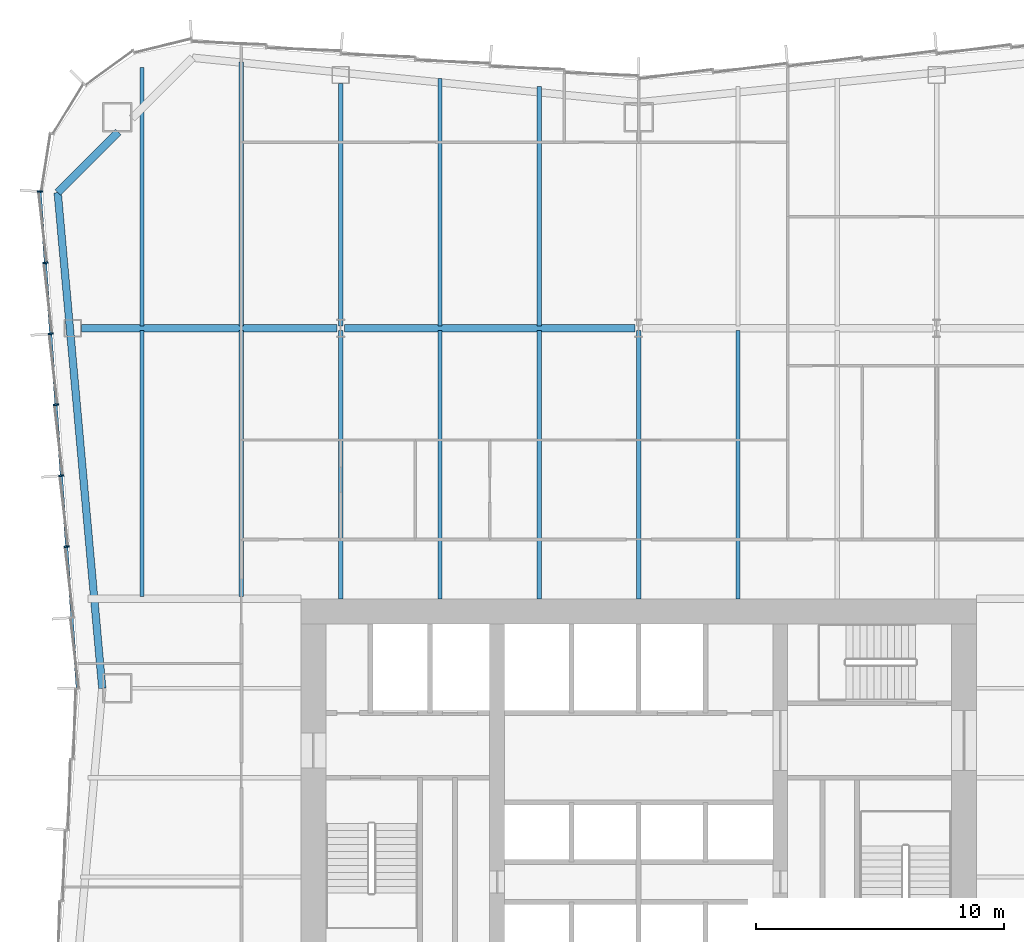
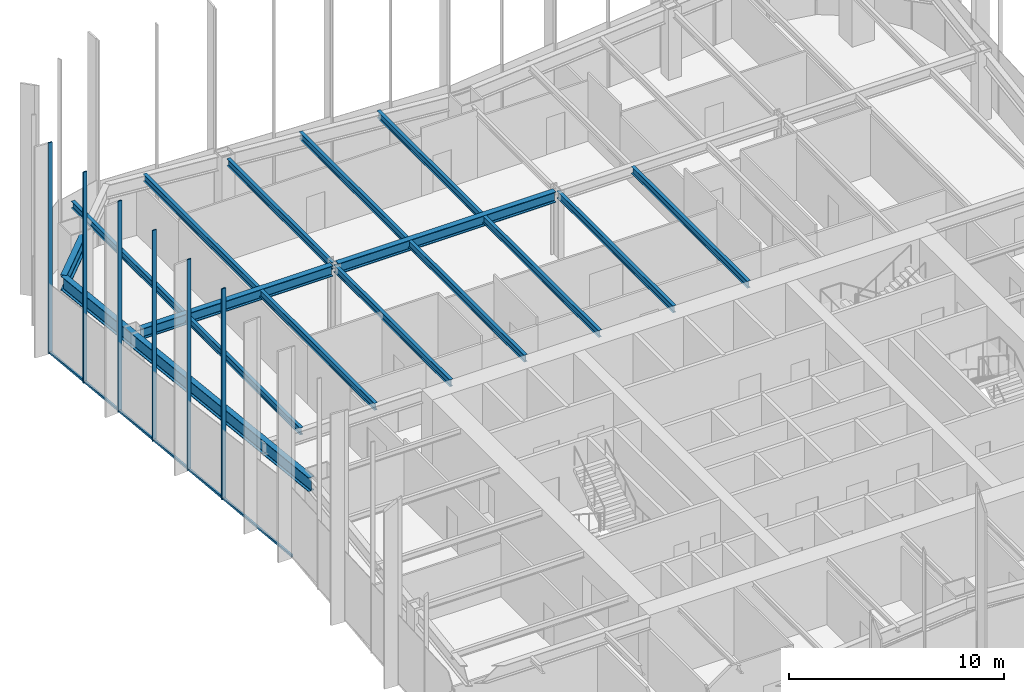
# One storey, part 5 of 14: 16 beams, 7 members, 1 element without a shape of its own.
"""IFC4 building model written with IfcOpenShell, lengths in metres."""

import ifcopenshell
import ifcopenshell.guid

model = None  # the IFC model being written
_history = None  # IfcOwnerHistory: only IFC2X3 demands one
_inside = {}  # id of a spatial element -> (the spatial element, [elements in it])
_under = {}  # id of a project, library or spatial element -> (it, [spatial elements below it])
_declared = {}  # id of a project -> (the project, [libraries it declares])
_typed = {}  # id of a type object -> (the type object, [elements of that type])
_made_of = {}  # id of a material, layer set ... -> (it, [elements and type objects made of it])


def new_model(schema):
    """Start an empty IFC model of exactly this schema.

    Asked for "IFC4X3", IfcOpenShell would pick the latest addendum, in which some entities
    have other attributes; the version numbers below select the first issue.
    IFC2X3 requires an IfcOwnerHistory on every rooted entity: one is made here for all.
    """
    global model, _history
    if schema == "IFC4X3":
        model = ifcopenshell.file(schema_version=(4, 3, 0, 0))
    else:
        model = ifcopenshell.file(schema=schema)
    _inside.clear()
    _under.clear()
    _declared.clear()
    _typed.clear()
    _made_of.clear()
    _history = None
    if model.schema == "IFC2X3":
        org = make("IfcOrganization", Name="unknown")
        user = make(
            "IfcPersonAndOrganization",
            ThePerson=make("IfcPerson", FamilyName="unknown"),
            TheOrganization=org,
        )
        app = make(
            "IfcApplication",
            ApplicationDeveloper=org,
            Version="unknown",
            ApplicationFullName="unknown",
            ApplicationIdentifier="unknown",
        )
        _history = make(
            "IfcOwnerHistory",
            OwningUser=user,
            OwningApplication=app,
            ChangeAction="ADDED",
            CreationDate=0,
        )
    return model


def make(cls, **values):
    """One entity of the class cls with the attributes given. An attribute that is None is left unset."""
    return model.create_entity(
        cls, **{name: value for name, value in values.items() if value is not None}
    )


def rooted(cls, **values):
    """An entity with a GlobalId (a new one), such as an element, a storey or a relation."""
    return make(cls, GlobalId=ifcopenshell.guid.new(), OwnerHistory=_history, **values)


def si_unit(unit_type, name, prefix=None):
    """IfcSIUnit, for example si_unit("LENGTHUNIT", "METRE", prefix="MILLI")."""
    return make("IfcSIUnit", UnitType=unit_type, Prefix=prefix, Name=name)


def assignment(units):
    """IfcUnitAssignment: the units of a project."""
    return None if units is None else make("IfcUnitAssignment", Units=units)


def point(xyz):
    """IfcCartesianPoint."""
    return None if xyz is None else make("IfcCartesianPoint", Coordinates=xyz)


def direction(xyz):
    """IfcDirection."""
    return None if xyz is None else make("IfcDirection", DirectionRatios=xyz)


def frame(location, z_axis=None, x_axis=None):
    """IfcAxis2Placement3D, a coordinate frame: its origin and axes. An axis left out is left unset."""
    return make(
        "IfcAxis2Placement3D",
        Location=point(location),
        Axis=direction(z_axis),
        RefDirection=direction(x_axis),
    )


def frame_2d(location, x_axis=None):
    """IfcAxis2Placement2D, a coordinate frame in the plane: its origin and x axis."""
    return make(
        "IfcAxis2Placement2D", Location=point(location), RefDirection=direction(x_axis)
    )


def origin():
    """The frame at (0, 0, 0) with its axes left unset."""
    return frame((0.0, 0.0, 0.0))


def origin_2d():
    """The frame at (0, 0) in the plane with its x axis left unset."""
    return frame_2d((0.0, 0.0))


def place(relative_to, where):
    """IfcLocalPlacement: puts the frame where relative to a parent placement (None: the world)."""
    return make(
        "IfcLocalPlacement", PlacementRelTo=relative_to, RelativePlacement=where
    )


def context(
    kind, dimensions, precision=None, world=None, true_north=None, identifier=None
):
    """IfcGeometricRepresentationContext, for example the 3D "Model" context."""
    return make(
        "IfcGeometricRepresentationContext",
        ContextIdentifier=identifier,
        ContextType=kind,
        CoordinateSpaceDimension=dimensions,
        Precision=precision,
        WorldCoordinateSystem=world,
        TrueNorth=true_north,
    )


def subcontext(parent, identifier, kind, view, scale=None):
    """IfcGeometricRepresentationSubContext, for example "Body" below "Model"."""
    return make(
        "IfcGeometricRepresentationSubContext",
        ContextIdentifier=identifier,
        ContextType=kind,
        ParentContext=parent,
        TargetScale=scale,
        TargetView=view,
    )


def project(units=None, contexts=None):
    """IfcProject with its units and contexts."""
    return rooted(
        "IfcProject",
        Name="project",
        RepresentationContexts=contexts,
        UnitsInContext=assignment(units),
    )


def spatial(cls, under=None, at=None, **own):
    """A site, building, storey or space (cls), placed at a placement, below another one or the project."""
    s = rooted(cls, ObjectPlacement=at, **own)
    if under is not None:
        _under.setdefault(under.id(), (under, []))[1].append(s)
    return s


def profile(cls, at=None, kind="AREA", **sizes):
    """A parametric profile (cls). Its sizes go by their IFC names, for example OverallWidth=200.0."""
    return make(cls, ProfileType=kind, Position=at, **sizes)


def rectangle(**sizes):
    """IfcRectangleProfileDef."""
    return profile("IfcRectangleProfileDef", **sizes)


def i_section(**sizes):
    """IfcIShapeProfileDef."""
    return profile("IfcIShapeProfileDef", **sizes)


def extrude(swept, where, along, depth):
    """IfcExtrudedAreaSolid: the profile swept, set in the frame where, extruded along a direction by depth."""
    return make(
        "IfcExtrudedAreaSolid",
        SweptArea=swept,
        Position=where,
        ExtrudedDirection=direction(along),
        Depth=depth,
    )


def shape(context_of_items, identifier, shape_type, items):
    """IfcShapeRepresentation: the items that make up one representation, for example the "Body"."""
    return make(
        "IfcShapeRepresentation",
        ContextOfItems=context_of_items,
        RepresentationIdentifier=identifier,
        RepresentationType=shape_type,
        Items=items,
    )


def material(Name=None, Category=None):
    """IfcMaterial."""
    return make("IfcMaterial", Name=Name, Category=Category)


def material_profile(
    of_material, cross_section, Name=None, Category=None, Priority=None
):
    """IfcMaterialProfile: a cross section and its material."""
    return make(
        "IfcMaterialProfile",
        Name=Name,
        Material=of_material,
        Profile=cross_section,
        Priority=Priority,
        Category=Category,
    )


def profile_set(profiles, Name=None, composite=None):
    """IfcMaterialProfileSet."""
    return make(
        "IfcMaterialProfileSet",
        Name=Name,
        MaterialProfiles=profiles,
        CompositeProfile=composite,
    )


def made_of(thing, what):
    """Note that an element or type object is made of a material, layer set ...; save() writes the relation."""
    if what is not None:
        _made_of.setdefault(what.id(), (what, []))[1].append(thing)
    return thing


def type_object(cls, material=None, **own):
    """A type object (cls), such as IfcWallType, which elements share."""
    return made_of(rooted(cls, **own), material)


def element(
    cls,
    number,
    at=None,
    inside=None,
    cuts=None,
    type_object=None,
    material=None,
    context=None,
    identifier="Body",
    shape_type=None,
    held_by="IfcProductDefinitionShape",
    body=None,
    shapes=None,
    **own,
):
    """One element of the class cls, such as IfcWall. Its Tag is "e" and its number.

    at: its placement. inside: the storey or other place that contains it. cuts: it is an
    opening in that element (IfcRelVoidsElement). A single representation is given by context,
    identifier, shape_type and body (its items); several are given by shapes. held_by: the class
    of the entity that holds the representations. save() writes the other relations.
    """
    e = rooted(cls, Tag="e%d" % number, ObjectPlacement=at, **own)
    if body is not None:
        shapes = [shape(context, identifier, shape_type, body)]
    if shapes is not None:
        e.Representation = make(held_by, Representations=shapes)
    if inside is not None:
        _inside.setdefault(inside.id(), (inside, []))[1].append(e)
    if cuts is not None:
        rooted(
            "IfcRelVoidsElement", RelatingBuildingElement=cuts, RelatedOpeningElement=e
        )
    if type_object is not None:
        _typed.setdefault(type_object.id(), (type_object, []))[1].append(e)
    return made_of(e, material)


def aggregate(whole, parts):
    """IfcRelAggregates: a whole, such as a stair, and the parts it consists of."""
    return rooted("IfcRelAggregates", RelatingObject=whole, RelatedObjects=parts)


def save(model, path):
    """Write the relations noted so far, then the file.

    IfcRelAggregates (storeys below a building ...), IfcRelContainedInSpatialStructure (elements
    in a storey), IfcRelDefinesByType, IfcRelAssociatesMaterial and IfcRelDeclares: one each for
    every whole, place, type object, material and project.
    """
    for whole, parts in _under.values():
        aggregate(whole, parts)
    for where, things in _inside.values():
        rooted(
            "IfcRelContainedInSpatialStructure",
            RelatedElements=things,
            RelatingStructure=where,
        )
    for kind, things in _typed.values():
        rooted("IfcRelDefinesByType", RelatedObjects=things, RelatingType=kind)
    for what, things in _made_of.values():
        rooted("IfcRelAssociatesMaterial", RelatedObjects=things, RelatingMaterial=what)
    for by, libraries in _declared.values():
        rooted("IfcRelDeclares", RelatingContext=by, RelatedDefinitions=libraries)
    model.write(path)


model = new_model("IFC4")

# Units and contexts
model_context = context("Model", 3, precision=1e-05, world=origin(), true_north=direction((0.0, 1.0)))
body_context = subcontext(model_context, "Body", "Model", "MODEL_VIEW")
ifc_project = project(units=[si_unit("LENGTHUNIT", "METRE"), si_unit("AREAUNIT", "SQUARE_METRE"), si_unit("VOLUMEUNIT", "CUBIC_METRE"), si_unit("PLANEANGLEUNIT", "RADIAN"), si_unit("MASSUNIT", "GRAM", prefix="KILO")], contexts=[model_context])

# Site, building, storey
site_placement = place(None, origin())
site = spatial("IfcSite", under=ifc_project, at=site_placement, CompositionType="ELEMENT")
building_placement = place(site_placement, origin())
building = spatial("IfcBuilding", under=site, at=building_placement, Name="Verdant Reach Tower", CompositionType="ELEMENT")
storey_placement = place(building_placement, frame((0.0, 0.0, 150.0)))
storey = spatial("IfcBuildingStorey", under=building, at=storey_placement, Name="L34", CompositionType="ELEMENT", Elevation=150.0)

# Curtain wall, members
ifc_material_1 = material(Name="Anodised aluminium", Category="aluminium")
curtain_wall_type = type_object("IfcCurtainWallType", Name="EN-CW SYSTEM Z2", PredefinedType="NOTDEFINED", material=ifc_material_1)
curtain_wall_placement = place(storey_placement, origin())
curtain_wall = element("IfcCurtainWall", 1, at=curtain_wall_placement, inside=storey, type_object=curtain_wall_type, Name="Curtain wall west, L34", PredefinedType="NOTDEFINED")
ifc_material_profile_1 = material_profile(ifc_material_1, rectangle(XDim=0.2119140625, YDim=0.06396484375, at=origin_2d()), Name="Mullion 64x212")
ifc_profile_set_1 = profile_set([ifc_material_profile_1], Name="Anodised aluminium")
member_type_1 = type_object("IfcMemberType", Name="EN-MULLION Z2", PredefinedType="MULLION", material=ifc_profile_set_1)
member_1_placement = place(storey_placement, frame((-24.105712890625, 55.00634765625, -0.35009765625), z_axis=(0.0, 0.0, 1.0), x_axis=(-0.998155887542, 0.060702752526, 0.0)))
member_1 = element("IfcMember", 2, at=member_1_placement, type_object=member_type_1, Name="Mullion west face part 1 1, L34", PredefinedType="MULLION", context=body_context, shape_type="SweptSolid", body=[
    extrude(rectangle(XDim=0.2119140625, YDim=0.06396484375, at=origin_2d()), origin(), (0.0, 0.0, 1.0), 12.0),
])
member_2_placement = place(storey_placement, frame((-23.891357421875, 52.135009765625, -0.35009765625), z_axis=(0.0, 0.0, 1.0), x_axis=(-0.997199309888, -0.074789948245, 0.0)))
member_2 = element("IfcMember", 3, at=member_2_placement, type_object=member_type_1, Name="Mullion west face part 1 2, L34", PredefinedType="MULLION", context=body_context, shape_type="SweptSolid", body=[
    extrude(rectangle(XDim=0.2119140625, YDim=0.06396484375, at=origin_2d()), origin(), (0.0, 0.0, 1.0), 12.0),
])
member_3_placement = place(storey_placement, frame((-23.67724609375, 49.27783203125, -0.35009765625), z_axis=(0.0, 0.0, 1.0), x_axis=(-0.997199309888, -0.074789948245, 0.0)))
member_3 = element("IfcMember", 4, at=member_3_placement, type_object=member_type_1, Name="Mullion west face part 1 3, L34", PredefinedType="MULLION", context=body_context, shape_type="SweptSolid", body=[
    extrude(rectangle(XDim=0.2119140625, YDim=0.06396484375, at=origin_2d()), origin(), (0.0, 0.0, 1.0), 12.0),
])
member_4_placement = place(storey_placement, frame((-23.462890625, 46.420654296875, -0.35009765625), z_axis=(0.0, 0.0, 1.0), x_axis=(-0.997199309888, -0.074789948245, 0.0)))
member_4 = element("IfcMember", 5, at=member_4_placement, type_object=member_type_1, Name="Mullion west face part 1 4, L34", PredefinedType="MULLION", context=body_context, shape_type="SweptSolid", body=[
    extrude(rectangle(XDim=0.2119140625, YDim=0.06396484375, at=origin_2d()), origin(), (0.0, 0.0, 1.0), 12.0),
])
member_5_placement = place(storey_placement, frame((-23.24853515625, 43.5634765625, -0.35009765625), z_axis=(0.0, 0.0, 1.0), x_axis=(-0.997199309888, -0.074789948245, 0.0)))
member_5 = element("IfcMember", 6, at=member_5_placement, type_object=member_type_1, Name="Mullion west face part 1 5, L34", PredefinedType="MULLION", context=body_context, shape_type="SweptSolid", body=[
    extrude(rectangle(XDim=0.2119140625, YDim=0.06396484375, at=origin_2d()), origin(), (0.0, 0.0, 1.0), 12.0),
])
member_6_placement = place(storey_placement, frame((-23.0341796875, 40.706298828125, -0.35009765625), z_axis=(0.0, 0.0, 1.0), x_axis=(-0.997199309888, -0.074789948245, 0.0)))
member_6 = element("IfcMember", 7, at=member_6_placement, type_object=member_type_1, Name="Mullion west face part 1 6, L34", PredefinedType="MULLION", context=body_context, shape_type="SweptSolid", body=[
    extrude(rectangle(XDim=0.2119140625, YDim=0.06396484375, at=origin_2d()), origin(), (0.0, 0.0, 1.0), 12.0),
])
ifc_material_profile_2 = material_profile(ifc_material_1, rectangle(XDim=0.10009765625, YDim=0.1240234375, at=origin_2d()), Name="Transom 124x100")
ifc_profile_set_2 = profile_set([ifc_material_profile_2], Name="Anodised aluminium")
member_type_2 = type_object("IfcMemberType", Name="EN-TRANSOM Z2", PredefinedType="USERDEFINED", material=ifc_profile_set_2)
member_7_placement = place(storey_placement, frame((-24.103515625, 54.974609375, -0.2880859375), z_axis=(0.07476111665, -0.997201471839, 0.0), x_axis=(0.997201471839, 0.07476111665, 0.0)))
member_7 = element("IfcMember", 8, at=member_7_placement, type_object=member_type_2, Name="Transom west face part 1 1.1, L34", ObjectType="TRANSOM", PredefinedType="USERDEFINED", context=body_context, shape_type="SweptSolid", body=[
    extrude(rectangle(XDim=0.10009765625, YDim=0.1240234375, at=origin_2d()), origin(), (0.0, 0.0, 1.0), 19.99853515625),
])
aggregate(curtain_wall, [member_1, member_2, member_3, member_4, member_5, member_6, member_7])

# Beams
ifc_material_2 = material(Name="Steel S355", Category="steel")
ifc_material_profile_3 = material_profile(ifc_material_2, i_section(OverallWidth=0.300048828125, OverallDepth=0.60009765625, WebThickness=0.015380859375, FlangeThickness=0.030029296875, FilletRadius=0.027099609375, at=origin_2d()), Name="HEB 600")
ifc_profile_set_3 = profile_set([ifc_material_profile_3], Name="Steel S355")
beam_type_1 = type_object("IfcBeamType", Name="ST-BEAM-HEB600", PredefinedType="BEAM", material=ifc_profile_set_3)
beam_1_placement = place(storey_placement, frame((-22.4375, 49.5, 3.570068359375), z_axis=(1.0, 0.0, 0.0), x_axis=(0.0, 1.0, 0.0)))
element("IfcBeam", 9, at=beam_1_placement, inside=storey, type_object=beam_type_1, Name="Row girder, L34", PredefinedType="BEAM", context=body_context, shape_type="SweptSolid", body=[
    extrude(i_section(OverallWidth=0.300048828125, OverallDepth=0.60009765625, WebThickness=0.015380859375, FlangeThickness=0.030029296875, FilletRadius=0.027099609375, at=origin_2d()), origin(), (0.0, 0.0, 1.0), 10.283447265625),
])
beam_2_placement = place(storey_placement, frame((-11.845947265625, 49.5, 3.570068359375), z_axis=(1.0, 0.0, 0.0), x_axis=(0.0, 1.0, 0.0)))
element("IfcBeam", 10, at=beam_2_placement, inside=storey, type_object=beam_type_1, Name="Row girder, L34", PredefinedType="BEAM", context=body_context, shape_type="SweptSolid", body=[
    extrude(i_section(OverallWidth=0.300048828125, OverallDepth=0.60009765625, WebThickness=0.015380859375, FlangeThickness=0.030029296875, FilletRadius=0.027099609375, at=origin_2d()), origin(), (0.0, 0.0, 1.0), 11.69189453125),
])
ifc_material_profile_4 = material_profile(ifc_material_2, i_section(OverallWidth=0.179931640625, OverallDepth=0.39990234375, WebThickness=0.008544921875, FlangeThickness=0.013427734375, FilletRadius=0.02099609375, at=origin_2d()), Name="IPE 400")
ifc_profile_set_4 = profile_set([ifc_material_profile_4], Name="Steel S355")
beam_type_2 = type_object("IfcBeamType", Name="ST-JOIST-IPE400", PredefinedType="JOIST", material=ifc_profile_set_4)
beam_3_placement = place(storey_placement, frame((-20.0, 38.699951171875, 3.669921875), z_axis=(0.0, 1.0, 0.0), x_axis=(-1.0, 0.0, 0.0)))
element("IfcBeam", 11, at=beam_3_placement, inside=storey, type_object=beam_type_2, Name="Floor joist, L34", PredefinedType="JOIST", context=body_context, shape_type="SweptSolid", body=[
    extrude(i_section(OverallWidth=0.179931640625, OverallDepth=0.39990234375, WebThickness=0.008544921875, FlangeThickness=0.013427734375, FilletRadius=0.02099609375, at=origin_2d()), origin(), (0.0, 0.0, 1.0), 10.699951171875),
])
beam_4_placement = place(storey_placement, frame((-20.0, 49.60009765625, 3.669921875), z_axis=(0.0, 1.0, 0.0), x_axis=(-1.0, 0.0, 0.0)))
element("IfcBeam", 12, at=beam_4_placement, inside=storey, type_object=beam_type_2, Name="Floor joist, L34", PredefinedType="JOIST", context=body_context, shape_type="SweptSolid", body=[
    extrude(i_section(OverallWidth=0.179931640625, OverallDepth=0.39990234375, WebThickness=0.008544921875, FlangeThickness=0.013427734375, FilletRadius=0.02099609375, at=origin_2d()), origin(), (0.0, 0.0, 1.0), 10.390380859375),
])
beam_5_placement = place(storey_placement, frame((-16.0, 38.699951171875, 3.669921875), z_axis=(0.0, 1.0, 0.0), x_axis=(-1.0, 0.0, 0.0)))
element("IfcBeam", 13, at=beam_5_placement, inside=storey, type_object=beam_type_2, Name="Floor joist, L34", PredefinedType="JOIST", context=body_context, shape_type="SweptSolid", body=[
    extrude(i_section(OverallWidth=0.179931640625, OverallDepth=0.39990234375, WebThickness=0.008544921875, FlangeThickness=0.013427734375, FilletRadius=0.02099609375, at=origin_2d()), origin(), (0.0, 0.0, 1.0), 10.699951171875),
])
beam_6_placement = place(storey_placement, frame((-16.0, 49.60009765625, 3.669921875), z_axis=(0.0, 1.0, 0.0), x_axis=(-1.0, 0.0, 0.0)))
element("IfcBeam", 14, at=beam_6_placement, inside=storey, type_object=beam_type_2, Name="Floor joist, L34", PredefinedType="JOIST", context=body_context, shape_type="SweptSolid", body=[
    extrude(i_section(OverallWidth=0.179931640625, OverallDepth=0.39990234375, WebThickness=0.008544921875, FlangeThickness=0.013427734375, FilletRadius=0.02099609375, at=origin_2d()), origin(), (0.0, 0.0, 1.0), 10.631103515625),
])
beam_7_placement = place(storey_placement, frame((-12.0, 38.60009765625, 3.669921875), z_axis=(0.0, 1.0, 0.0), x_axis=(-1.0, 0.0, 0.0)))
element("IfcBeam", 15, at=beam_7_placement, inside=storey, type_object=beam_type_2, Name="Floor joist, L34", PredefinedType="JOIST", context=body_context, shape_type="SweptSolid", body=[
    extrude(i_section(OverallWidth=0.179931640625, OverallDepth=0.39990234375, WebThickness=0.008544921875, FlangeThickness=0.013427734375, FilletRadius=0.02099609375, at=origin_2d()), origin(), (0.0, 0.0, 1.0), 10.7998046875),
])
beam_8_placement = place(storey_placement, frame((-12.0, 49.60009765625, 3.669921875), z_axis=(0.0, 1.0, 0.0), x_axis=(-1.0, 0.0, 0.0)))
element("IfcBeam", 16, at=beam_8_placement, inside=storey, type_object=beam_type_2, Name="Floor joist, L34", PredefinedType="JOIST", context=body_context, shape_type="SweptSolid", body=[
    extrude(i_section(OverallWidth=0.179931640625, OverallDepth=0.39990234375, WebThickness=0.008544921875, FlangeThickness=0.013427734375, FilletRadius=0.02099609375, at=origin_2d()), origin(), (0.0, 0.0, 1.0), 9.75),
])
beam_9_placement = place(storey_placement, frame((-8.0, 38.60009765625, 3.669921875), z_axis=(0.0, 1.0, 0.0), x_axis=(-1.0, 0.0, 0.0)))
element("IfcBeam", 17, at=beam_9_placement, inside=storey, type_object=beam_type_2, Name="Floor joist, L34", PredefinedType="JOIST", context=body_context, shape_type="SweptSolid", body=[
    extrude(i_section(OverallWidth=0.179931640625, OverallDepth=0.39990234375, WebThickness=0.008544921875, FlangeThickness=0.013427734375, FilletRadius=0.02099609375, at=origin_2d()), origin(), (0.0, 0.0, 1.0), 10.7998046875),
])
beam_10_placement = place(storey_placement, frame((-8.0, 49.60009765625, 3.669921875), z_axis=(0.0, 1.0, 0.0), x_axis=(-1.0, 0.0, 0.0)))
element("IfcBeam", 18, at=beam_10_placement, inside=storey, type_object=beam_type_2, Name="Floor joist, L34", PredefinedType="JOIST", context=body_context, shape_type="SweptSolid", body=[
    extrude(i_section(OverallWidth=0.179931640625, OverallDepth=0.39990234375, WebThickness=0.008544921875, FlangeThickness=0.013427734375, FilletRadius=0.02099609375, at=origin_2d()), origin(), (0.0, 0.0, 1.0), 9.964599609375),
])
beam_11_placement = place(storey_placement, frame((-4.0, 38.60009765625, 3.669921875), z_axis=(0.0, 1.0, 0.0), x_axis=(-1.0, 0.0, 0.0)))
element("IfcBeam", 19, at=beam_11_placement, inside=storey, type_object=beam_type_2, Name="Floor joist, L34", PredefinedType="JOIST", context=body_context, shape_type="SweptSolid", body=[
    extrude(i_section(OverallWidth=0.179931640625, OverallDepth=0.39990234375, WebThickness=0.008544921875, FlangeThickness=0.013427734375, FilletRadius=0.02099609375, at=origin_2d()), origin(), (0.0, 0.0, 1.0), 10.7998046875),
])
beam_12_placement = place(storey_placement, frame((-4.0, 49.60009765625, 3.669921875), z_axis=(0.0, 1.0, 0.0), x_axis=(-1.0, 0.0, 0.0)))
element("IfcBeam", 20, at=beam_12_placement, inside=storey, type_object=beam_type_2, Name="Floor joist, L34", PredefinedType="JOIST", context=body_context, shape_type="SweptSolid", body=[
    extrude(i_section(OverallWidth=0.179931640625, OverallDepth=0.39990234375, WebThickness=0.008544921875, FlangeThickness=0.013427734375, FilletRadius=0.02099609375, at=origin_2d()), origin(), (0.0, 0.0, 1.0), 9.631103515625),
])
for number, where, z_axis, x_axis, name in (
    (21, (0.0, 38.60009765625, 3.669921875), (0.0, 1.0, 0.0), (-1.0, 0.0, 0.0), "Floor joist, L34"),
    (22, (4.0, 38.60009765625, 3.669921875), (0.0, 1.0, 0.0), (-1.0, 0.0, 0.0), "Floor joist, L34"),
):
    element("IfcBeam", number, at=place(storey_placement, frame(where, z_axis=z_axis, x_axis=x_axis)), inside=storey, type_object=beam_type_2, Name=name, PredefinedType="JOIST", context=body_context, shape_type="SweptSolid", body=[
        extrude(i_section(OverallWidth=0.179931640625, OverallDepth=0.39990234375, WebThickness=0.008544921875, FlangeThickness=0.013427734375, FilletRadius=0.02099609375, at=origin_2d()), origin(), (0.0, 0.0, 1.0), 10.7998046875),
    ])
ifc_material_profile_5 = material_profile(ifc_material_2, i_section(OverallWidth=0.300048828125, OverallDepth=0.800048828125, WebThickness=0.017578125, FlangeThickness=0.032958984375, FilletRadius=0.030029296875, at=origin_2d()), Name="HEB 800")
ifc_profile_set_5 = profile_set([ifc_material_profile_5], Name="Steel S355")
beam_type_3 = type_object("IfcBeamType", Name="ST-SPANDREL-HEB800", PredefinedType="SPANDREL", material=ifc_profile_set_5)
beam_13_placement = place(storey_placement, frame((-21.60009765625, 35.0, 3.469970703125), z_axis=(-0.089574749266, 0.995980102358, 0.0), x_axis=(-0.995980102358, -0.089574749266, 0.0)))
element("IfcBeam", 23, at=beam_13_placement, inside=storey, type_object=beam_type_3, Name="Edge beam, L34", PredefinedType="SPANDREL", context=body_context, shape_type="SweptSolid", body=[
    extrude(i_section(OverallWidth=0.300048828125, OverallDepth=0.800048828125, WebThickness=0.017578125, FlangeThickness=0.032958984375, FilletRadius=0.030029296875, at=origin_2d()), origin(), (0.0, 0.0, 1.0), 20.043701171875),
])
ifc_material_profile_6 = material_profile(ifc_material_2, i_section(OverallWidth=0.302001953125, OverallDepth=0.909912109375, WebThickness=0.02099609375, FlangeThickness=0.0400390625, FilletRadius=0.030029296875, at=origin_2d()), Name="HEM 900")
ifc_profile_set_6 = profile_set([ifc_material_profile_6], Name="Steel S355")
beam_type_4 = type_object("IfcBeamType", Name="ST-SPANDREL-HEM900", PredefinedType="SPANDREL", material=ifc_profile_set_6)
beam_14_placement = place(storey_placement, frame((-23.3955078125, 54.963134765625, 3.4150390625), z_axis=(0.706965048022, 0.707248485948, 0.0), x_axis=(-0.707248485948, 0.706965048022, 0.0)))
element("IfcBeam", 24, at=beam_14_placement, inside=storey, type_object=beam_type_4, Name="Edge beam, L34", PredefinedType="SPANDREL", context=body_context, shape_type="SweptSolid", body=[
    extrude(i_section(OverallWidth=0.302001953125, OverallDepth=0.909912109375, WebThickness=0.02099609375, FlangeThickness=0.0400390625, FilletRadius=0.030029296875, at=origin_2d()), origin(), (0.0, 0.0, 1.0), 3.4453125),
])

save(model, "model.ifc")
